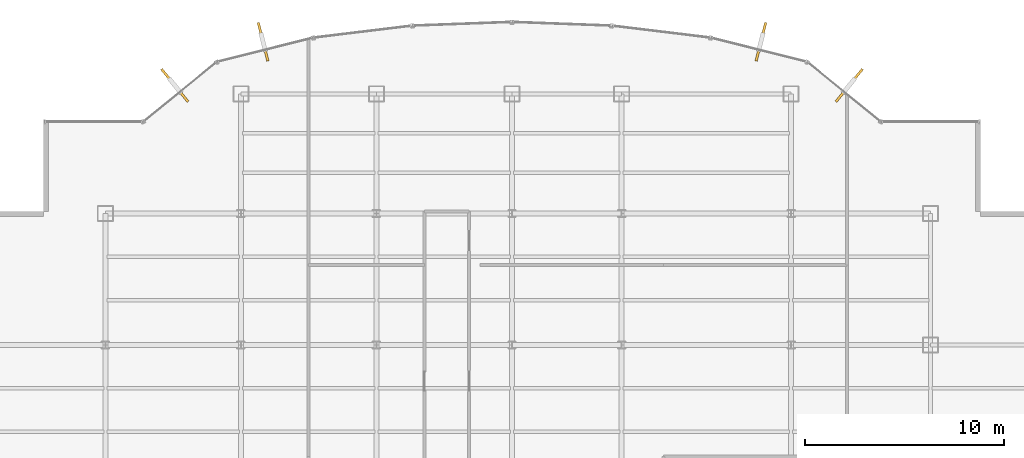
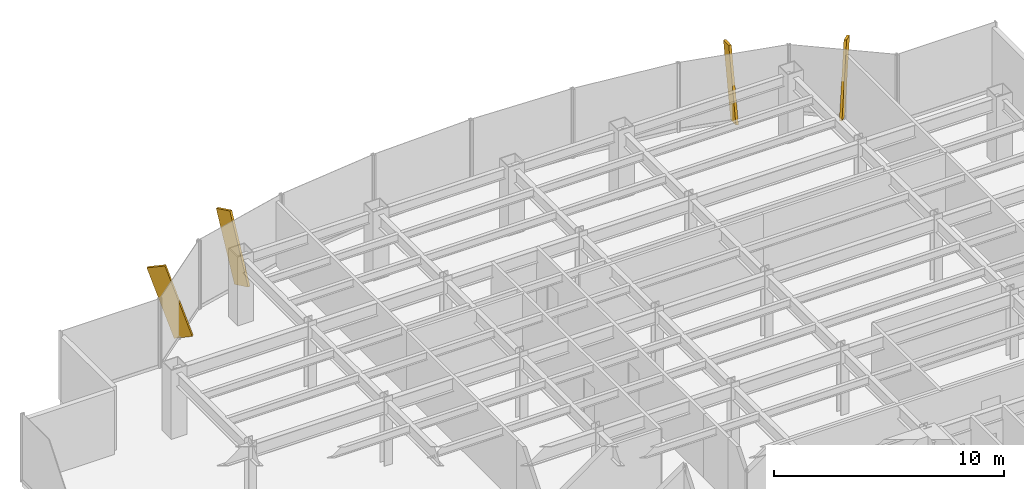
# One storey, part 25 of 26: 4 shading devices.
"""IFC4 building model written with IfcOpenShell, lengths in metres."""

from ifc_helpers import new_model, si_unit, derived_unit, direction, frame, origin, origin_2d, place, context, subcontext, project, spatial, rectangle, extrude, source, transform, mapped, material, type_object, element, save


model = new_model("IFC4")

# Units and contexts
model_context = context("Model", 3, precision=1e-05, world=origin(), true_north=direction((0.0, 1.0)))
body_context = subcontext(model_context, "Body", "Model", "MODEL_VIEW")
ifc_project = project(units=[si_unit("LENGTHUNIT", "METRE"), si_unit("AREAUNIT", "SQUARE_METRE"), si_unit("VOLUMEUNIT", "CUBIC_METRE"), si_unit("PLANEANGLEUNIT", "RADIAN"), si_unit("MASSUNIT", "GRAM", prefix="KILO"), derived_unit("THERMALTRANSMITTANCEUNIT", [(si_unit("POWERUNIT", "WATT"), 1), (si_unit("LENGTHUNIT", "METRE"), -2), (si_unit("THERMODYNAMICTEMPERATUREUNIT", "KELVIN"), -1)])], contexts=[model_context])

# Site, building, storey
site_placement = place(None, origin())
site = spatial("IfcSite", under=ifc_project, at=site_placement, CompositionType="ELEMENT")
building_placement = place(site_placement, origin())
building = spatial("IfcBuilding", under=site, at=building_placement, Name="Skarnbrae Concourse Arena and Tower", CompositionType="ELEMENT")
storey_placement = place(building_placement, frame((0.0, 0.0, 114.199951171875)))
storey = spatial("IfcBuildingStorey", under=building, at=storey_placement, Name="L28", CompositionType="ELEMENT", Elevation=114.199951171875)

# Shading devices
ifc_material = material(Name="Bronze anodised aluminium 6063-T6", Category="aluminium")
shading_device_type = type_object("IfcShadingDeviceType", Name="SHD-BRONZE-FIN-900", PredefinedType="USERDEFINED", material=ifc_material)
shared_shape = source(origin(), body_context, "Body", "SweptSolid", [
    extrude(rectangle(XDim=0.1201171875, YDim=0.89990234375, at=origin_2d()), origin(), (0.0, 0.0, 1.0), 3.64990234375),
])
for number, where, z_axis, x_axis, name in (
    (1, (44.520751953125, 40.331787109375, 0.11376953125), (0.219028888683, 0.269688051153, 0.937707150974), (0.776244501415, -0.630431974144, 0.0), "L28 Outward-leaning bronze shading fin 08"),
    (2, (40.351318359375, 42.459228515625, 0.09130859375), (0.076012091807, 0.302773374998, 0.950026549782), (0.969901771235, -0.243496517748, 0.0), "L28 Outward-leaning bronze shading fin 09"),
    (3, (15.648681640625, 42.459228515625, 0.09130859375), (-0.076012091807, 0.302773374998, 0.950026549782), (0.969901771235, 0.243496517748, 0.0), "L28 Outward-leaning bronze shading fin 14"),
    (4, (11.479248046875, 40.331787109375, 0.11376953125), (-0.219028888683, 0.269688051153, 0.937707150974), (0.776244501415, 0.630431974144, 0.0), "L28 Outward-leaning bronze shading fin 15"),
):
    element("IfcShadingDevice", number, at=place(storey_placement, frame(where, z_axis=z_axis, x_axis=x_axis)), inside=storey, type_object=shading_device_type, Name=name, ObjectType="FIN", PredefinedType="USERDEFINED", context=body_context, shape_type="MappedRepresentation", body=[
        mapped(shared_shape, transform((0.0, 0.0, 0.0))),
    ])

save(model, "model.ifc")
